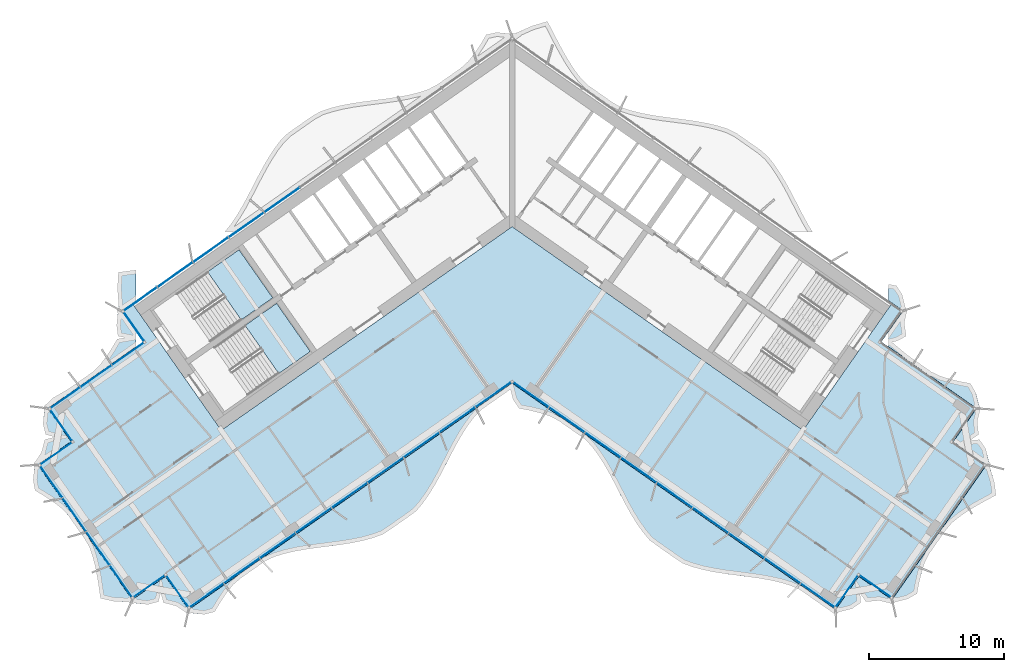
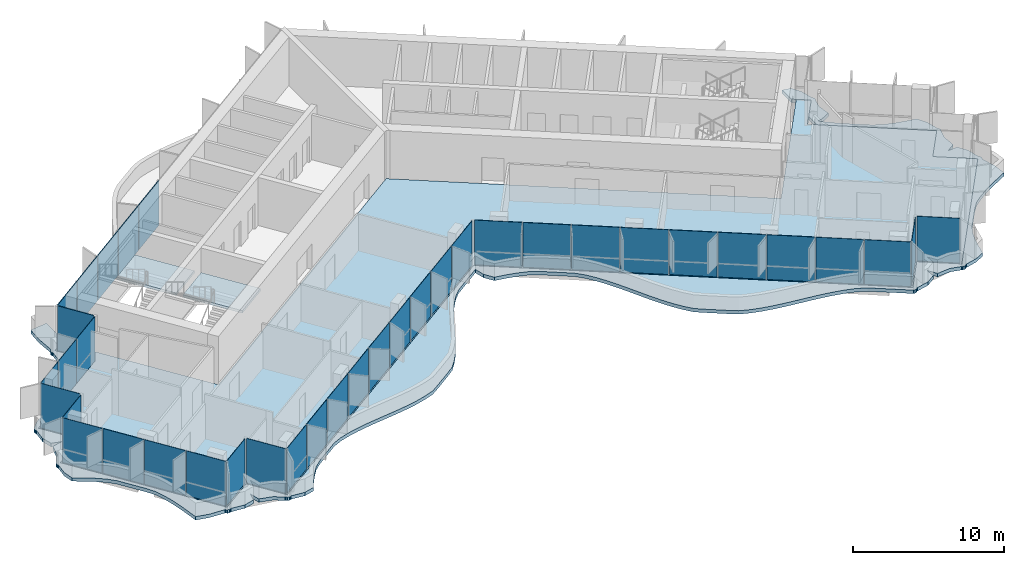
# One storey, part 10 of 21: 37 plates, 4 slabs, 4 elements without a shape of their own.
"""IFC4 building model written with IfcOpenShell, lengths in metres."""

from ifc_helpers import new_model, si_unit, direction, frame, origin, origin_2d, place, context, subcontext, project, spatial, polyline, rectangle, outline, extrude, material, layer, layer_set, type_object, element, aggregate, save


model = new_model("IFC4")

# Units and contexts
model_context = context("Model", 3, precision=1e-05, world=origin(), true_north=direction((0.0, 1.0)))
body_context = subcontext(model_context, "Body", "Model", "MODEL_VIEW")
ifc_project = project(units=[si_unit("LENGTHUNIT", "METRE"), si_unit("AREAUNIT", "SQUARE_METRE"), si_unit("VOLUMEUNIT", "CUBIC_METRE"), si_unit("PLANEANGLEUNIT", "RADIAN"), si_unit("MASSUNIT", "GRAM", prefix="KILO")], contexts=[model_context])

# Site, building, storey
site_placement = place(None, origin())
site = spatial("IfcSite", under=ifc_project, at=site_placement, CompositionType="ELEMENT")
building_placement = place(site_placement, origin())
building = spatial("IfcBuilding", under=site, at=building_placement, Name="Tel Ilan Convention Tower", CompositionType="ELEMENT")
storey_placement = place(building_placement, frame((0.0, 0.0, 206.10009765625)))
storey = spatial("IfcBuildingStorey", under=building, at=storey_placement, Name="L48", CompositionType="ELEMENT", Elevation=206.10009765625)

# Curtain wall, plates
ifc_material_1 = material(Name="Aluminium, bronze anodised", Category="aluminium")
curtain_wall_type_1 = type_object("IfcCurtainWallType", Name="CW4 STICK CURTAIN WALL, OFFICE TINTED GLASS", PredefinedType="NOTDEFINED", material=ifc_material_1)
curtain_wall_1_placement = place(storey_placement, origin())
curtain_wall_1 = element("IfcCurtainWall", 1, at=curtain_wall_1_placement, inside=storey, type_object=curtain_wall_type_1, Name="Curtain wall CW4-38.02", PredefinedType="NOTDEFINED")
ifc_material_2 = material(Name="Glass, bronze tinted, two-ply", Category="glass")
ifc_layer_1 = layer(ifc_material_2, 0.028076171875)
ifc_layer_set_1 = layer_set([ifc_layer_1], Name="CW GLASS PANEL 28")
plate_type_1 = type_object("IfcPlateType", Name="CW GLASS PANEL 28", PredefinedType="CURTAIN_PANEL", material=ifc_layer_set_1)
plate_1_placement = place(storey_placement, frame((-28.457763671875, -10.6484375, -0.000244140625), z_axis=(0.0, 0.0, 1.0), x_axis=(-0.819152044289, -0.573576436351, 0.0)))
plate_1 = element("IfcPlate", 2, at=plate_1_placement, type_object=plate_type_1, Name="Glass panel", PredefinedType="CURTAIN_PANEL", context=body_context, shape_type="SweptSolid", body=[
    extrude(rectangle(XDim=2.835693359375, YDim=0.028076171875, at=origin_2d()), origin(), (0.0, 0.0, 1.0), 3.6201171875),
])
plate_2_placement = place(storey_placement, frame((-30.81787109375, -12.301025390625, -0.000244140625), z_axis=(0.0, 0.0, 1.0), x_axis=(-0.819152044289, -0.573576436351, 0.0)))
plate_2 = element("IfcPlate", 3, at=plate_2_placement, type_object=plate_type_1, Name="Glass panel", PredefinedType="CURTAIN_PANEL", context=body_context, shape_type="SweptSolid", body=[
    extrude(rectangle(XDim=2.806640625, YDim=0.028076171875, at=origin_2d()), origin(), (0.0, 0.0, 1.0), 3.6201171875),
])
plate_3_placement = place(storey_placement, frame((-33.12744140625, -13.918212890625, -0.000244140625), z_axis=(0.0, 0.0, 1.0), x_axis=(-0.819152044289, -0.573576436351, 0.0)))
plate_3 = element("IfcPlate", 4, at=plate_3_placement, type_object=plate_type_1, Name="Glass panel", PredefinedType="CURTAIN_PANEL", context=body_context, shape_type="SweptSolid", body=[
    extrude(rectangle(XDim=2.712646484375, YDim=0.028076171875, at=origin_2d()), origin(), (0.0, 0.0, 1.0), 3.6201171875),
])
plate_4_placement = place(storey_placement, frame((-33.419921875, -15.9072265625, -0.000244140625), z_axis=(0.0, 0.0, 1.0), x_axis=(0.573576436351, -0.819152044289, 0.0)))
plate_4 = element("IfcPlate", 5, at=plate_4_placement, type_object=plate_type_1, Name="Glass panel", PredefinedType="CURTAIN_PANEL", context=body_context, shape_type="SweptSolid", body=[
    extrude(rectangle(XDim=2.875, YDim=0.028076171875, at=origin_2d()), origin(), (0.0, 0.0, 1.0), 3.6201171875),
])
plate_5_placement = place(storey_placement, frame((-33.7978515625, -18.0498046875, -0.000244140625), z_axis=(0.0, 0.0, 1.0), x_axis=(-0.819152044289, -0.573576436351, 0.0)))
plate_5 = element("IfcPlate", 6, at=plate_5_placement, type_object=plate_type_1, Name="Glass panel", PredefinedType="CURTAIN_PANEL", context=body_context, shape_type="SweptSolid", body=[
    extrude(rectangle(XDim=2.875, YDim=0.028076171875, at=origin_2d()), origin(), (0.0, 0.0, 1.0), 3.6201171875),
])
plate_6_placement = place(storey_placement, frame((-34.150634765625, -20.093994140625, -0.000244140625), z_axis=(0.0, 0.0, 1.0), x_axis=(0.573576436351, -0.819152044289, 0.0)))
plate_6 = element("IfcPlate", 7, at=plate_6_placement, type_object=plate_type_1, Name="Glass panel", PredefinedType="CURTAIN_PANEL", context=body_context, shape_type="SweptSolid", body=[
    extrude(rectangle(XDim=2.89599609375, YDim=0.028076171875, at=origin_2d()), origin(), (0.0, 0.0, 1.0), 3.6201171875),
])
plate_7_placement = place(storey_placement, frame((-32.42822265625, -22.553955078125, -0.000244140625), z_axis=(0.0, 0.0, 1.0), x_axis=(0.573576436351, -0.819152044289, 0.0)))
plate_7 = element("IfcPlate", 8, at=plate_7_placement, type_object=plate_type_1, Name="Glass panel", PredefinedType="CURTAIN_PANEL", context=body_context, shape_type="SweptSolid", body=[
    extrude(rectangle(XDim=2.989990234375, YDim=0.028076171875, at=origin_2d()), origin(), (0.0, 0.0, 1.0), 3.6201171875),
])
plate_8_placement = place(storey_placement, frame((-30.6787109375, -25.05224609375, -0.000244140625), z_axis=(0.0, 0.0, 1.0), x_axis=(0.573576436351, -0.819152044289, 0.0)))
plate_8 = element("IfcPlate", 9, at=plate_8_placement, type_object=plate_type_1, Name="Glass panel", PredefinedType="CURTAIN_PANEL", context=body_context, shape_type="SweptSolid", body=[
    extrude(rectangle(XDim=2.989990234375, YDim=0.028076171875, at=origin_2d()), origin(), (0.0, 0.0, 1.0), 3.6201171875),
])
plate_9_placement = place(storey_placement, frame((-28.956298828125, -27.51220703125, -0.000244140625), z_axis=(0.0, 0.0, 1.0), x_axis=(0.573576436351, -0.819152044289, 0.0)))
plate_9 = element("IfcPlate", 10, at=plate_9_placement, type_object=plate_type_1, Name="Glass panel", PredefinedType="CURTAIN_PANEL", context=body_context, shape_type="SweptSolid", body=[
    extrude(rectangle(XDim=2.89599609375, YDim=0.028076171875, at=origin_2d()), origin(), (0.0, 0.0, 1.0), 3.6201171875),
])
plate_10_placement = place(storey_placement, frame((-26.914794921875, -27.879638671875, -0.000244140625), z_axis=(0.0, 0.0, 1.0), x_axis=(0.819152044289, 0.573576436351, 0.0)))
plate_10 = element("IfcPlate", 11, at=plate_10_placement, type_object=plate_type_1, Name="Glass panel", PredefinedType="CURTAIN_PANEL", context=body_context, shape_type="SweptSolid", body=[
    extrude(rectangle(XDim=2.875, YDim=0.028076171875, at=origin_2d()), origin(), (0.0, 0.0, 1.0), 3.6201171875),
])
plate_11_placement = place(storey_placement, frame((-24.772216796875, -28.257568359375, -0.000244140625), z_axis=(0.0, 0.0, 1.0), x_axis=(0.573576436351, -0.819152044289, 0.0)))
plate_11 = element("IfcPlate", 12, at=plate_11_placement, type_object=plate_type_1, Name="Glass panel", PredefinedType="CURTAIN_PANEL", context=body_context, shape_type="SweptSolid", body=[
    extrude(rectangle(XDim=2.875, YDim=0.028076171875, at=origin_2d()), origin(), (0.0, 0.0, 1.0), 3.6201171875),
])
plate_12_placement = place(storey_placement, frame((-22.646240234375, -28.55322265625, -0.000244140625), z_axis=(0.0, 0.0, 1.0), x_axis=(0.819152044289, 0.573576436351, 0.0)))
plate_12 = element("IfcPlate", 13, at=plate_12_placement, type_object=plate_type_1, Name="Glass panel", PredefinedType="CURTAIN_PANEL", context=body_context, shape_type="SweptSolid", body=[
    extrude(rectangle(XDim=3.095703125, YDim=0.028076171875, at=origin_2d()), origin(), (0.0, 0.0, 1.0), 3.6201171875),
])
plate_13_placement = place(storey_placement, frame((-20.022705078125, -26.716064453125, -0.000244140625), z_axis=(0.0, 0.0, 1.0), x_axis=(0.819152044289, 0.573576436351, 0.0)))
plate_13 = element("IfcPlate", 14, at=plate_13_placement, type_object=plate_type_1, Name="Glass panel", PredefinedType="CURTAIN_PANEL", context=body_context, shape_type="SweptSolid", body=[
    extrude(rectangle(XDim=3.189697265625, YDim=0.028076171875, at=origin_2d()), origin(), (0.0, 0.0, 1.0), 3.6201171875),
])
plate_14_placement = place(storey_placement, frame((-17.360595703125, -24.85205078125, -0.000244140625), z_axis=(0.0, 0.0, 1.0), x_axis=(0.819152044289, 0.573576436351, 0.0)))
plate_14 = element("IfcPlate", 15, at=plate_14_placement, type_object=plate_type_1, Name="Glass panel", PredefinedType="CURTAIN_PANEL", context=body_context, shape_type="SweptSolid", body=[
    extrude(rectangle(XDim=3.189697265625, YDim=0.028076171875, at=origin_2d()), origin(), (0.0, 0.0, 1.0), 3.6201171875),
])
plate_15_placement = place(storey_placement, frame((-14.69873046875, -22.988037109375, -0.000244140625), z_axis=(0.0, 0.0, 1.0), x_axis=(0.819152044289, 0.573576436351, 0.0)))
plate_15 = element("IfcPlate", 16, at=plate_15_placement, type_object=plate_type_1, Name="Glass panel", PredefinedType="CURTAIN_PANEL", context=body_context, shape_type="SweptSolid", body=[
    extrude(rectangle(XDim=3.189697265625, YDim=0.028076171875, at=origin_2d()), origin(), (0.0, 0.0, 1.0), 3.6201171875),
])
plate_16_placement = place(storey_placement, frame((-12.03662109375, -21.124267578125, -0.000244140625), z_axis=(0.0, 0.0, 1.0), x_axis=(0.819152044289, 0.573576436351, 0.0)))
plate_16 = element("IfcPlate", 17, at=plate_16_placement, type_object=plate_type_1, Name="Glass panel", PredefinedType="CURTAIN_PANEL", context=body_context, shape_type="SweptSolid", body=[
    extrude(rectangle(XDim=3.189697265625, YDim=0.028076171875, at=origin_2d()), origin(), (0.0, 0.0, 1.0), 3.6201171875),
])
plate_17_placement = place(storey_placement, frame((-9.37451171875, -19.26025390625, -0.000244140625), z_axis=(0.0, 0.0, 1.0), x_axis=(0.819152044289, 0.573576436351, 0.0)))
plate_17 = element("IfcPlate", 18, at=plate_17_placement, type_object=plate_type_1, Name="Glass panel", PredefinedType="CURTAIN_PANEL", context=body_context, shape_type="SweptSolid", body=[
    extrude(rectangle(XDim=3.189697265625, YDim=0.028076171875, at=origin_2d()), origin(), (0.0, 0.0, 1.0), 3.6201171875),
])
plate_18_placement = place(storey_placement, frame((-6.71240234375, -17.396240234375, -0.000244140625), z_axis=(0.0, 0.0, 1.0), x_axis=(0.819152044289, 0.573576436351, 0.0)))
plate_18 = element("IfcPlate", 19, at=plate_18_placement, type_object=plate_type_1, Name="Glass panel", PredefinedType="CURTAIN_PANEL", context=body_context, shape_type="SweptSolid", body=[
    extrude(rectangle(XDim=3.189697265625, YDim=0.028076171875, at=origin_2d()), origin(), (0.0, 0.0, 1.0), 3.6201171875),
])
plate_19_placement = place(storey_placement, frame((-4.050537109375, -15.5322265625, -0.000244140625), z_axis=(0.0, 0.0, 1.0), x_axis=(0.819152044289, 0.573576436351, 0.0)))
plate_19 = element("IfcPlate", 20, at=plate_19_placement, type_object=plate_type_1, Name="Glass panel", PredefinedType="CURTAIN_PANEL", context=body_context, shape_type="SweptSolid", body=[
    extrude(rectangle(XDim=3.189697265625, YDim=0.028076171875, at=origin_2d()), origin(), (0.0, 0.0, 1.0), 3.6201171875),
])
plate_20_placement = place(storey_placement, frame((-1.388671875, -13.66845703125, -0.000244140625), z_axis=(0.0, 0.0, 1.0), x_axis=(0.819152044289, 0.573576436351, 0.0)))
plate_20 = element("IfcPlate", 21, at=plate_20_placement, type_object=plate_type_1, Name="Glass panel", PredefinedType="CURTAIN_PANEL", context=body_context, shape_type="SweptSolid", body=[
    extrude(rectangle(XDim=3.188720703125, YDim=0.028076171875, at=origin_2d()), origin(), (0.0, 0.0, 1.0), 3.6201171875),
])
plate_21_placement = place(storey_placement, frame((1.400390625, -13.676513671875, -0.000244140625), z_axis=(0.0, 0.0, 1.0), x_axis=(0.819152044289, -0.573576436351, 0.0)))
plate_21 = element("IfcPlate", 22, at=plate_21_placement, type_object=plate_type_1, Name="Glass panel", PredefinedType="CURTAIN_PANEL", context=body_context, shape_type="SweptSolid", body=[
    extrude(rectangle(XDim=3.16064453125, YDim=0.028076171875, at=origin_2d()), origin(), (0.0, 0.0, 1.0), 3.6201171875),
])
plate_22_placement = place(storey_placement, frame((4.050537109375, -15.5322265625, -0.000244140625), z_axis=(0.0, 0.0, 1.0), x_axis=(0.819152044289, -0.573576436351, 0.0)))
plate_22 = element("IfcPlate", 23, at=plate_22_placement, type_object=plate_type_1, Name="Glass panel", PredefinedType="CURTAIN_PANEL", context=body_context, shape_type="SweptSolid", body=[
    extrude(rectangle(XDim=3.189697265625, YDim=0.028076171875, at=origin_2d()), origin(), (0.0, 0.0, 1.0), 3.6201171875),
])
plate_23_placement = place(storey_placement, frame((6.71240234375, -17.396240234375, -0.000244140625), z_axis=(0.0, 0.0, 1.0), x_axis=(0.819152044289, -0.573576436351, 0.0)))
plate_23 = element("IfcPlate", 24, at=plate_23_placement, type_object=plate_type_1, Name="Glass panel", PredefinedType="CURTAIN_PANEL", context=body_context, shape_type="SweptSolid", body=[
    extrude(rectangle(XDim=3.189697265625, YDim=0.028076171875, at=origin_2d()), origin(), (0.0, 0.0, 1.0), 3.6201171875),
])
plate_24_placement = place(storey_placement, frame((9.37451171875, -19.26025390625, -0.000244140625), z_axis=(0.0, 0.0, 1.0), x_axis=(0.819152044289, -0.573576436351, 0.0)))
plate_24 = element("IfcPlate", 25, at=plate_24_placement, type_object=plate_type_1, Name="Glass panel", PredefinedType="CURTAIN_PANEL", context=body_context, shape_type="SweptSolid", body=[
    extrude(rectangle(XDim=3.189697265625, YDim=0.028076171875, at=origin_2d()), origin(), (0.0, 0.0, 1.0), 3.6201171875),
])
plate_25_placement = place(storey_placement, frame((12.03662109375, -21.124267578125, -0.000244140625), z_axis=(0.0, 0.0, 1.0), x_axis=(0.819152044289, -0.573576436351, 0.0)))
plate_25 = element("IfcPlate", 26, at=plate_25_placement, type_object=plate_type_1, Name="Glass panel", PredefinedType="CURTAIN_PANEL", context=body_context, shape_type="SweptSolid", body=[
    extrude(rectangle(XDim=3.189697265625, YDim=0.028076171875, at=origin_2d()), origin(), (0.0, 0.0, 1.0), 3.6201171875),
])
plate_26_placement = place(storey_placement, frame((14.69873046875, -22.988037109375, -0.000244140625), z_axis=(0.0, 0.0, 1.0), x_axis=(0.819152044289, -0.573576436351, 0.0)))
plate_26 = element("IfcPlate", 27, at=plate_26_placement, type_object=plate_type_1, Name="Glass panel", PredefinedType="CURTAIN_PANEL", context=body_context, shape_type="SweptSolid", body=[
    extrude(rectangle(XDim=3.189697265625, YDim=0.028076171875, at=origin_2d()), origin(), (0.0, 0.0, 1.0), 3.6201171875),
])
plate_27_placement = place(storey_placement, frame((17.360595703125, -24.85205078125, -0.000244140625), z_axis=(0.0, 0.0, 1.0), x_axis=(0.819152044289, -0.573576436351, 0.0)))
plate_27 = element("IfcPlate", 28, at=plate_27_placement, type_object=plate_type_1, Name="Glass panel", PredefinedType="CURTAIN_PANEL", context=body_context, shape_type="SweptSolid", body=[
    extrude(rectangle(XDim=3.189697265625, YDim=0.028076171875, at=origin_2d()), origin(), (0.0, 0.0, 1.0), 3.6201171875),
])
plate_28_placement = place(storey_placement, frame((20.022705078125, -26.716064453125, -0.000244140625), z_axis=(0.0, 0.0, 1.0), x_axis=(0.819152044289, -0.573576436351, 0.0)))
plate_28 = element("IfcPlate", 29, at=plate_28_placement, type_object=plate_type_1, Name="Glass panel", PredefinedType="CURTAIN_PANEL", context=body_context, shape_type="SweptSolid", body=[
    extrude(rectangle(XDim=3.189697265625, YDim=0.028076171875, at=origin_2d()), origin(), (0.0, 0.0, 1.0), 3.6201171875),
])
plate_29_placement = place(storey_placement, frame((22.646240234375, -28.55322265625, -0.000244140625), z_axis=(0.0, 0.0, 1.0), x_axis=(0.819152044289, -0.573576436351, 0.0)))
plate_29 = element("IfcPlate", 30, at=plate_29_placement, type_object=plate_type_1, Name="Glass panel", PredefinedType="CURTAIN_PANEL", context=body_context, shape_type="SweptSolid", body=[
    extrude(rectangle(XDim=3.095703125, YDim=0.028076171875, at=origin_2d()), origin(), (0.0, 0.0, 1.0), 3.6201171875),
])
plate_30_placement = place(storey_placement, frame((24.772216796875, -28.257568359375, -0.000244140625), z_axis=(0.0, 0.0, 1.0), x_axis=(0.573576436351, 0.819152044289, 0.0)))
plate_30 = element("IfcPlate", 31, at=plate_30_placement, type_object=plate_type_1, Name="Glass panel", PredefinedType="CURTAIN_PANEL", context=body_context, shape_type="SweptSolid", body=[
    extrude(rectangle(XDim=2.875, YDim=0.028076171875, at=origin_2d()), origin(), (0.0, 0.0, 1.0), 3.6201171875),
])
plate_31_placement = place(storey_placement, frame((26.914794921875, -27.879638671875, -0.000244140625), z_axis=(0.0, 0.0, 1.0), x_axis=(0.819152044289, -0.573576436351, 0.0)))
plate_31 = element("IfcPlate", 32, at=plate_31_placement, type_object=plate_type_1, Name="Glass panel", PredefinedType="CURTAIN_PANEL", context=body_context, shape_type="SweptSolid", body=[
    extrude(rectangle(XDim=2.875, YDim=0.028076171875, at=origin_2d()), origin(), (0.0, 0.0, 1.0), 3.6201171875),
])
aggregate(curtain_wall_1, [plate_1, plate_2, plate_3, plate_4, plate_5, plate_6, plate_7, plate_8, plate_9, plate_10, plate_11, plate_12, plate_13, plate_14, plate_15, plate_16, plate_17, plate_18, plate_19, plate_20, plate_21, plate_22, plate_23, plate_24, plate_25, plate_26, plate_27, plate_28, plate_29, plate_30, plate_31])

ifc_material_3 = material(Name="Aluminium, bronze anodised", Category="aluminium")
curtain_wall_type_2 = type_object("IfcCurtainWallType", Name="CW2 STICK CURTAIN WALL, SPANDREL PANELS", PredefinedType="NOTDEFINED", material=ifc_material_3)
curtain_wall_2_placement = place(storey_placement, origin())
curtain_wall_2 = element("IfcCurtainWall", 33, at=curtain_wall_2_placement, inside=storey, type_object=curtain_wall_type_2, Name="Curtain wall CW2-38.01", PredefinedType="NOTDEFINED")
ifc_material_4 = material(Name="Aluminium composite panel, bronze anodised", Category="aluminium")
ifc_layer_2 = layer(ifc_material_4, 0.06005859375)
ifc_layer_set_2 = layer_set([ifc_layer_2], Name="CW SPANDREL PANEL 60")
plate_type_2 = type_object("IfcPlateType", Name="CW SPANDREL PANEL 60", PredefinedType="CURTAIN_PANEL", material=ifc_layer_set_2)
plate_32_placement = place(storey_placement, frame((-17.0546875, 0.754150390625, -0.000244140625), z_axis=(0.0, 0.0, 1.0), x_axis=(-0.819152044289, -0.573576436351, 0.0)))
plate_32 = element("IfcPlate", 34, at=plate_32_placement, type_object=plate_type_2, Name="Spandrel panel", PredefinedType="CURTAIN_PANEL", context=body_context, shape_type="SweptSolid", body=[
    extrude(rectangle(XDim=3.15380859375, YDim=0.06005859375, at=origin_2d()), origin(), (0.0, 0.0, 1.0), 3.6201171875),
])
plate_33_placement = place(storey_placement, frame((-19.687255859375, -1.089111328125, -0.000244140625), z_axis=(0.0, 0.0, 1.0), x_axis=(-0.819152044289, -0.573576436351, 0.0)))
plate_33 = element("IfcPlate", 35, at=plate_33_placement, type_object=plate_type_2, Name="Spandrel panel", PredefinedType="CURTAIN_PANEL", context=body_context, shape_type="SweptSolid", body=[
    extrude(rectangle(XDim=3.15380859375, YDim=0.06005859375, at=origin_2d()), origin(), (0.0, 0.0, 1.0), 3.6201171875),
])
plate_34_placement = place(storey_placement, frame((-22.31982421875, -2.9326171875, -0.000244140625), z_axis=(0.0, 0.0, 1.0), x_axis=(-0.819152044289, -0.573576436351, 0.0)))
plate_34 = element("IfcPlate", 36, at=plate_34_placement, type_object=plate_type_2, Name="Spandrel panel", PredefinedType="CURTAIN_PANEL", context=body_context, shape_type="SweptSolid", body=[
    extrude(rectangle(XDim=3.15380859375, YDim=0.06005859375, at=origin_2d()), origin(), (0.0, 0.0, 1.0), 3.6201171875),
])
plate_35_placement = place(storey_placement, frame((-24.95263671875, -4.77587890625, -0.000244140625), z_axis=(0.0, 0.0, 1.0), x_axis=(-0.819152044289, -0.573576436351, 0.0)))
plate_35 = element("IfcPlate", 37, at=plate_35_placement, type_object=plate_type_2, Name="Spandrel panel", PredefinedType="CURTAIN_PANEL", context=body_context, shape_type="SweptSolid", body=[
    extrude(rectangle(XDim=3.15380859375, YDim=0.06005859375, at=origin_2d()), origin(), (0.0, 0.0, 1.0), 3.6201171875),
])
plate_36_placement = place(storey_placement, frame((-27.5400390625, -6.587646484375, -0.000244140625), z_axis=(0.0, 0.0, 1.0), x_axis=(-0.819152044289, -0.573576436351, 0.0)))
plate_36 = element("IfcPlate", 38, at=plate_36_placement, type_object=plate_type_2, Name="Spandrel panel", PredefinedType="CURTAIN_PANEL", context=body_context, shape_type="SweptSolid", body=[
    extrude(rectangle(XDim=3.0439453125, YDim=0.06005859375, at=origin_2d()), origin(), (0.0, 0.0, 1.0), 3.6201171875),
])
plate_37_placement = place(storey_placement, frame((-28.033935546875, -8.60546875, -0.000244140625), z_axis=(0.0, 0.0, 1.0), x_axis=(0.573576436351, -0.819152044289, 0.0)))
plate_37 = element("IfcPlate", 39, at=plate_37_placement, type_object=plate_type_2, Name="Spandrel panel", PredefinedType="CURTAIN_PANEL", context=body_context, shape_type="SweptSolid", body=[
    extrude(rectangle(XDim=2.658935546875, YDim=0.06005859375, at=origin_2d()), origin(), (0.0, 0.0, 1.0), 3.6201171875),
])
aggregate(curtain_wall_2, [plate_32, plate_33, plate_34, plate_35, plate_36, plate_37])

# Stair, slab
ifc_material_5 = material(Name="Concrete C40/50", Category="concrete")
stair_type = type_object("IfcStairType", Name="Pressurised Exit Stair 22 risers 177 mm", PredefinedType="HALF_TURN_STAIR", material=ifc_material_5)
stair_1_placement = place(storey_placement, origin())
stair_1 = element("IfcStair", 40, at=stair_1_placement, inside=storey, type_object=stair_type, Name="L48 Pressurised Stair S1", PredefinedType="HALF_TURN_STAIR")
ifc_material_6 = material(Name="Concrete C40/50", Category="concrete")
ifc_layer_3 = layer(ifc_material_6, 0.199951171875)
ifc_layer_set_3 = layer_set([ifc_layer_3], Name="Concrete Stair Landing 200 mm C40/50")
slab_type_1 = type_object("IfcSlabType", Name="Concrete Stair Landing 200 mm", PredefinedType="LANDING", material=ifc_layer_set_3)
slab_1_placement = place(storey_placement, frame((0.0, 0.0, 1.75)))
slab_1 = element("IfcSlab", 41, at=slab_1_placement, type_object=slab_type_1, Name="S1 landing 1", PredefinedType="LANDING", context=body_context, shape_type="SweptSolid", body=[
    extrude(outline(polyline([(-20.066650390625, -8.130126953125), (-17.7314453125, -6.494873046875), (-20.226318359375, -2.931640625), (-22.561767578125, -4.566650390625), (-20.066650390625, -8.130126953125)])), origin(), (0.0, 0.0, 1.0), 0.199951171875),
])
aggregate(stair_1, [slab_1])

stair_2_placement = place(storey_placement, origin())
stair_2 = element("IfcStair", 42, at=stair_2_placement, inside=storey, type_object=stair_type, Name="L48 Pressurised Stair S2", PredefinedType="HALF_TURN_STAIR")
slab_2_placement = place(storey_placement, frame((0.0, 0.0, 1.75)))
slab_2 = element("IfcSlab", 43, at=slab_2_placement, type_object=slab_type_1, Name="S2 landing 1", PredefinedType="LANDING", context=body_context, shape_type="SweptSolid", body=[
    extrude(outline(polyline([(-17.28466796875, -12.10302734375), (-14.949462890625, -10.4677734375), (-17.444580078125, -6.904541015625), (-19.77978515625, -8.53955078125), (-17.28466796875, -12.10302734375)])), origin(), (0.0, 0.0, 1.0), 0.199951171875),
])
aggregate(stair_2, [slab_2])

# Slabs
ifc_material_7 = material(Name="Concrete C40/50", Category="concrete")
ifc_layer_4 = layer(ifc_material_7, 0.280029296875)
ifc_layer_set_4 = layer_set([ifc_layer_4], Name="Edge Ledge Slab 280 mm C40/50")
slab_type_2 = type_object("IfcSlabType", Name="Edge Ledge Slab 280 mm C40/50", PredefinedType="FLOOR", material=ifc_layer_set_4)
slab_3_placement = place(storey_placement, frame((0.0, 0.0, -0.280029296875)))
element("IfcSlab", 44, at=slab_3_placement, inside=storey, type_object=slab_type_2, Name="L48 edge ledge 1", PredefinedType="FLOOR", context=body_context, shape_type="SweptSolid", body=[
    extrude(outline(polyline([(-29.29443359375, -8.548583984375), (-29.20458984375, -7.631103515625), (-29.199951171875, -7.6279296875), (-29.236083984375, -7.57373046875), (-29.2587890625, -7.458984375), (-29.236083984375, -7.34423828125), (-29.1708984375, -7.246826171875), (-29.127685546875, -7.218017578125), (-29.130859375, -7.21337890625), (-29.231689453125, -5.78515625), (-29.161865234375, -4.60107421875), (-28.33935546875, -4.49169921875), (-27.875, -4.4326171875), (-27.875, -6.7001953125), (-28.958740234375, -7.458984375), (-27.875, -9.007080078125), (-27.875, -10.1181640625), (-34.3974609375, -14.685302734375), (-32.6767578125, -17.142822265625), (-35.13427734375, -18.863525390625), (-28.13671875, -28.857421875), (-25.67919921875, -27.136474609375), (-23.95849609375, -29.593994140625), (0.0, -12.818115234375), (23.95849609375, -29.593994140625), (25.67919921875, -27.136474609375), (28.13671875, -28.857421875), (35.13427734375, -18.863525390625), (32.6767578125, -17.142822265625), (34.3974609375, -14.685302734375), (27.875, -10.1181640625), (27.875, -9.007080078125), (28.958740234375, -7.458984375), (27.875, -6.7001953125), (27.875, -5.485595703125), (28.465576171875, -5.595458984375), (28.894287109375, -6.267333984375), (29.130859375, -7.21337890625), (29.127685546875, -7.218017578125), (29.1708984375, -7.246826171875), (29.236083984375, -7.34423828125), (29.2587890625, -7.458984375), (29.236083984375, -7.57373046875), (29.199951171875, -7.6279296875), (29.20458984375, -7.631103515625), (29.044921875, -8.373779296875), (29.194091796875, -9.332763671875), (28.4912109375, -9.6953125), (28.123291015625, -9.789794921875), (28.18212890625, -9.817626953125), (28.730712890625, -10.28369140625), (29.285888671875, -10.739990234375), (31.047119140625, -11.973388671875), (31.703369140625, -12.285888671875), (32.42138671875, -12.509521484375), (33.172119140625, -12.68701171875), (33.945068359375, -12.832763671875), (34.3369140625, -13.5224609375), (34.569580078125, -14.439697265625), (34.56640625, -14.4443359375), (34.609619140625, -14.473388671875), (34.6748046875, -14.570556640625), (34.697509765625, -14.685302734375), (34.6748046875, -14.80029296875), (34.638671875, -14.854248046875), (34.643310546875, -14.857421875), (34.455322265625, -15.6416015625), (34.5458984375, -16.62060546875), (33.9111328125, -17.059326171875), (34.61181640625, -16.994384765625), (35.066650390625, -17.652587890625), (35.306396484375, -18.617919921875), (35.302978515625, -18.62255859375), (35.346435546875, -18.651611328125), (35.411376953125, -18.748779296875), (35.43408203125, -18.863525390625), (35.411376953125, -18.978515625), (35.375244140625, -19.032470703125), (35.3798828125, -19.03564453125), (35.716796875, -20.147705078125), (35.840576171875, -21.1103515625), (35.13037109375, -21.489013671875), (34.43017578125, -21.875), (33.759033203125, -22.281005859375), (33.1279296875, -22.71533203125), (32.546142578125, -23.18408203125), (32.0869140625, -23.738525390625), (30.85205078125, -25.502197265625), (30.537841796875, -26.158203125), (30.313720703125, -26.877197265625), (30.135498046875, -27.628662109375), (29.989990234375, -28.40283203125), (29.301025390625, -28.79638671875), (28.38232421875, -29.029296875), (28.377685546875, -29.026123046875), (28.3486328125, -29.0693359375), (28.25146484375, -29.134521484375), (28.13671875, -29.1572265625), (28.021728515625, -29.134521484375), (27.9677734375, -29.098388671875), (27.964599609375, -29.10302734375), (27.1806640625, -28.9150390625), (26.201416015625, -29.005615234375), (25.7626953125, -28.370849609375), (25.827392578125, -29.071533203125), (25.169677734375, -29.526611328125), (24.2041015625, -29.76611328125), (24.199462890625, -29.7626953125), (24.17041015625, -29.80615234375), (24.0732421875, -29.87109375), (23.95849609375, -29.89404296875), (23.843505859375, -29.87109375), (23.78955078125, -29.835205078125), (23.786376953125, -29.839599609375), (21.3291015625, -28.119140625), (20.632080078125, -27.80712890625), (19.875244140625, -27.580322265625), (19.084228515625, -27.402587890625), (18.26708984375, -27.26220703125), (17.432861328125, -27.14599609375), (16.591796875, -27.03955078125), (15.75439453125, -26.92822265625), (14.930419921875, -26.79736328125), (14.1298828125, -26.63330078125), (13.361083984375, -26.423583984375), (12.631103515625, -26.15869140625), (12.007080078125, -25.742431640625), (10.778564453125, -24.882080078125), (10.174072265625, -24.437744140625), (9.675537109375, -23.84228515625), (9.2158203125, -23.191162109375), (8.7880859375, -22.494873046875), (8.38330078125, -21.765380859375), (7.9921875, -21.016357421875), (7.6044921875, -20.262451171875), (7.2099609375, -19.5185546875), (6.798583984375, -18.798583984375), (6.36083984375, -18.1162109375), (5.888916015625, -17.48291015625), (5.356689453125, -16.935302734375), (3.513916015625, -15.644775390625), (2.855712890625, -15.277099609375), (2.112060546875, -15.03173828125), (1.331787109375, -14.8388671875), (0.522216796875, -14.687255859375), (0.0673828125, -14.029296875), (-0.12109375, -13.269287109375), (-2.28515625, -14.784423828125), (-2.81689453125, -15.332763671875), (-3.288818359375, -15.96630859375), (-3.726318359375, -16.648681640625), (-4.1376953125, -17.368896484375), (-4.5322265625, -18.11279296875), (-4.919921875, -18.86669921875), (-5.310791015625, -19.61572265625), (-5.7158203125, -20.34521484375), (-6.143798828125, -21.041259765625), (-6.603515625, -21.692138671875), (-7.102294921875, -22.287353515625), (-7.706787109375, -22.7314453125), (-8.935546875, -23.591796875), (-9.559814453125, -24.007568359375), (-10.289794921875, -24.272216796875), (-11.058837890625, -24.481689453125), (-11.859619140625, -24.645751953125), (-12.68359375, -24.776611328125), (-13.52099609375, -24.8876953125), (-14.362060546875, -24.994140625), (-15.1962890625, -25.110595703125), (-16.01318359375, -25.2509765625), (-16.80419921875, -25.428955078125), (-17.560791015625, -25.65576171875), (-18.257568359375, -25.968505859375), (-20.100341796875, -27.2587890625), (-20.6708984375, -27.75146484375), (-21.156005859375, -28.366455078125), (-21.604248046875, -29.03369140625), (-22.0234375, -29.742431640625), (-22.79736328125, -29.94482421875), (-23.786376953125, -29.839599609375), (-23.78955078125, -29.835205078125), (-23.843505859375, -29.87109375), (-23.95849609375, -29.89404296875), (-24.0732421875, -29.87109375), (-24.17041015625, -29.80615234375), (-24.199462890625, -29.7626953125), (-24.2041015625, -29.76611328125), (-24.87646484375, -29.3212890625), (-25.827392578125, -29.071533203125), (-26.022705078125, -28.324951171875), (-26.201416015625, -29.005615234375), (-26.975341796875, -29.2080078125), (-27.964599609375, -29.10302734375), (-27.9677734375, -29.098388671875), (-28.021728515625, -29.134521484375), (-28.13671875, -29.1572265625), (-28.25146484375, -29.134521484375), (-28.3486328125, -29.0693359375), (-28.377685546875, -29.026123046875), (-28.38232421875, -29.029296875), (-29.54248046875, -28.965576171875), (-30.489501953125, -28.75244140625), (-30.602294921875, -27.95556640625), (-30.7255859375, -27.165771484375), (-30.877685546875, -26.396240234375), (-31.06982421875, -25.65478515625), (-31.311279296875, -24.947509765625), (-31.67529296875, -24.326416015625), (-32.91015625, -22.56298828125), (-33.419189453125, -22.043212890625), (-34.018310546875, -21.58642578125), (-34.66357421875, -21.162109375), (-35.341064453125, -20.760498046875), (-35.475341796875, -19.978515625), (-35.3798828125, -19.03564453125), (-35.375244140625, -19.032470703125), (-35.411376953125, -18.978515625), (-35.43408203125, -18.863525390625), (-35.411376953125, -18.748779296875), (-35.346435546875, -18.651611328125), (-35.302978515625, -18.62255859375), (-35.306396484375, -18.617919921875), (-34.861572265625, -17.945556640625), (-34.61181640625, -16.994384765625), (-33.865234375, -16.79931640625), (-34.5458984375, -16.62060546875), (-34.748291015625, -15.8466796875), (-34.643310546875, -14.857421875), (-34.638671875, -14.854248046875), (-34.6748046875, -14.80029296875), (-34.697509765625, -14.685302734375), (-34.6748046875, -14.570556640625), (-34.609619140625, -14.473388671875), (-34.56640625, -14.4443359375), (-34.569580078125, -14.439697265625), (-34.052734375, -13.928466796875), (-33.42724609375, -13.572265625), (-32.808349609375, -13.20654296875), (-31.047119140625, -11.973388671875), (-30.529296875, -11.463623046875), (-30.0732421875, -10.865234375), (-29.649658203125, -10.220703125), (-29.24853515625, -9.544189453125), (-28.642333984375, -9.441650390625), (-29.194091796875, -9.332763671875), (-29.29443359375, -8.548583984375)])), origin(), (0.0, 0.0, 1.0), 0.280029296875),
])
ifc_material_8 = material(Name="Concrete C40/50", Category="concrete")
ifc_layer_5 = layer(ifc_material_8, 0.280029296875)
ifc_layer_set_5 = layer_set([ifc_layer_5], Name="Flat Plate Floor Slab 280 mm C40/50")
slab_type_3 = type_object("IfcSlabType", Name="Flat Plate Floor Slab 280 mm C40/50", PredefinedType="FLOOR", material=ifc_layer_set_5)
slab_4_placement = place(storey_placement, frame((0.0, 0.0, -0.280029296875)))
element("IfcSlab", 45, at=slab_4_placement, inside=storey, type_object=slab_type_3, Name="L48 floor slab", PredefinedType="FLOOR", context=body_context, shape_type="SweptSolid", body=[
    extrude(outline(polyline([(-21.54345703125, -16.3056640625), (0.0, -1.220703125), (21.54345703125, -16.3056640625), (28.1396484375, -6.885498046875), (28.958740234375, -7.458984375), (27.352783203125, -9.752685546875), (34.3974609375, -14.685302734375), (32.6767578125, -17.142822265625), (35.13427734375, -18.863525390625), (28.13671875, -28.857421875), (25.67919921875, -27.136474609375), (23.95849609375, -29.593994140625), (0.0, -12.818115234375), (-23.95849609375, -29.593994140625), (-25.67919921875, -27.136474609375), (-28.13671875, -28.857421875), (-35.13427734375, -18.863525390625), (-32.6767578125, -17.142822265625), (-34.3974609375, -14.685302734375), (-27.352783203125, -9.752685546875), (-28.958740234375, -7.458984375), (-28.1396484375, -6.885498046875), (-21.54345703125, -16.3056640625)])), origin(), (0.0, 0.0, 1.0), 0.280029296875),
])

save(model, "model.ifc")
